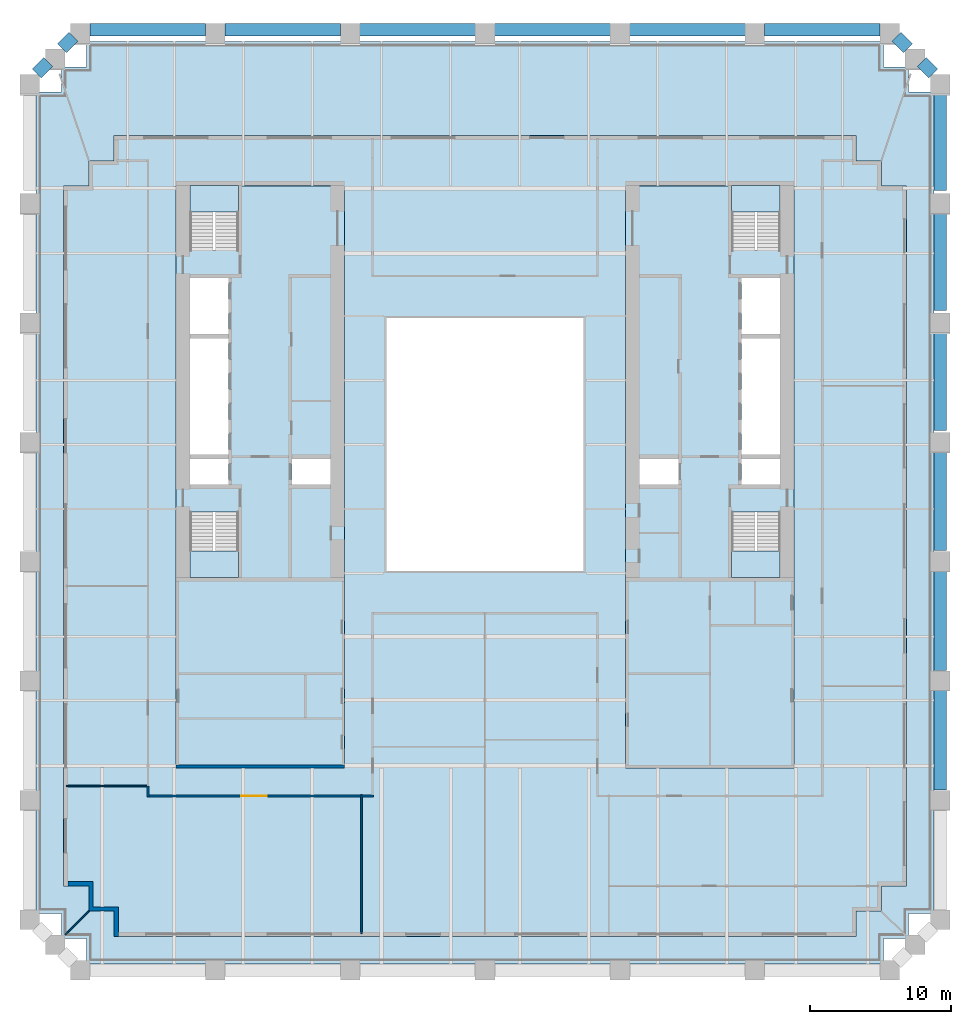
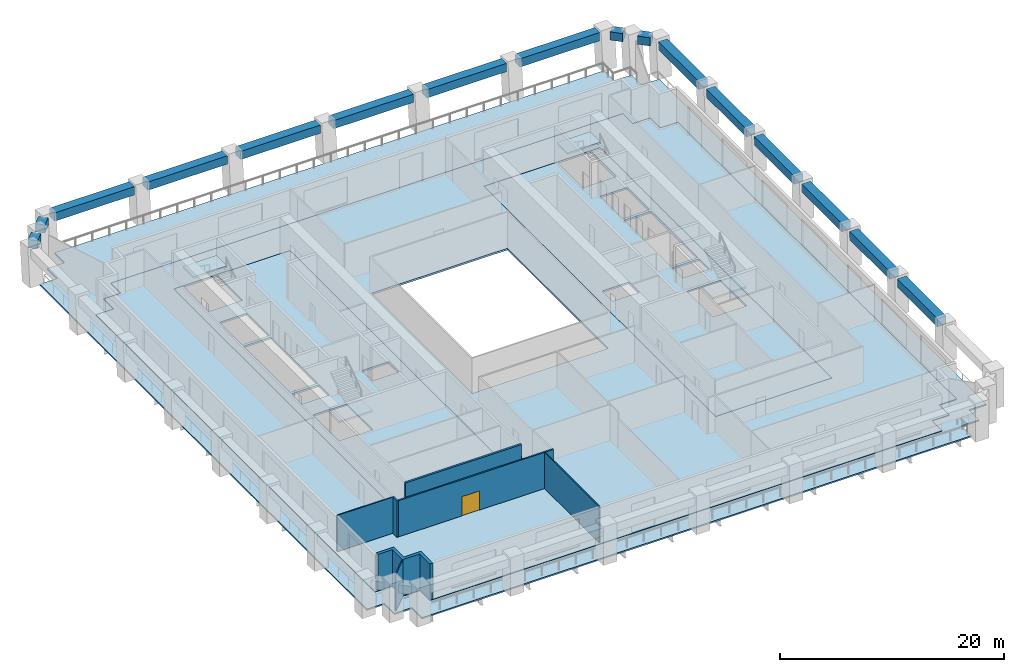
# One storey, part 2 of 9: 16 beams, 8 slabs, 8 walls, 1 door, 1 opening, 4 elements without a shape of their own.
"""IFC4 building model written with IfcOpenShell, lengths in metres."""

from ifc_helpers import new_model, si_unit, direction, frame, frame_2d, origin, origin_2d, place, context, subcontext, project, spatial, polyline, rectangle, outline, extrude, material, layer, layer_set, material_profile, profile_set, type_object, element, fill, aggregate, save


model = new_model("IFC4")

# Units and contexts
model_context = context("Model", 3, precision=1e-05, world=origin(), true_north=direction((0.0, 1.0)))
body_context = subcontext(model_context, "Body", "Model", "MODEL_VIEW")
ifc_project = project(units=[si_unit("LENGTHUNIT", "METRE"), si_unit("AREAUNIT", "SQUARE_METRE"), si_unit("VOLUMEUNIT", "CUBIC_METRE"), si_unit("PLANEANGLEUNIT", "RADIAN"), si_unit("MASSUNIT", "GRAM", prefix="KILO")], contexts=[model_context])

# Site, building, storey
site_placement = place(None, origin())
site = spatial("IfcSite", under=ifc_project, at=site_placement, CompositionType="ELEMENT")
building_placement = place(site_placement, origin())
building = spatial("IfcBuilding", under=site, at=building_placement, Name="Ogive Exchange Tower", CompositionType="ELEMENT")
storey_placement = place(building_placement, frame((0.0, 0.0, 85.800048828125)))
storey = spatial("IfcBuildingStorey", under=building, at=storey_placement, Name="L18", CompositionType="ELEMENT", Elevation=85.800048828125)

# Beams
ifc_material_1 = material(Name="Precast concrete C70/85 (limestone faced)", Category="masonry")
ifc_material_profile = material_profile(ifc_material_1, rectangle(XDim=0.89990234375, YDim=0.89990234375, at=origin_2d()), Name="900 x 900")
ifc_profile_set = profile_set([ifc_material_profile], Name="Precast concrete C70/85 (limestone faced)")
beam_type = type_object("IfcBeamType", Name="Precast spandrel 900 x 900 C70/85", PredefinedType="SPANDREL", material=ifc_profile_set)
beam_1_placement = place(storey_placement, frame((32.39990234375, -17.58740234375, 3.5), z_axis=(0.0, 1.0, 0.0), x_axis=(-1.0, 0.0, 0.0)))
element("IfcBeam", 1, at=beam_1_placement, inside=storey, type_object=beam_type, Name="Spandrel 10", PredefinedType="SPANDREL", context=body_context, shape_type="SweptSolid", body=[
    extrude(rectangle(XDim=0.89990234375, YDim=0.89990234375, at=origin_2d()), origin(), (0.0, 0.0, 1.0), 7.17236328125),
])
for number, where, z_axis, x_axis, name in (
    (2, (32.39990234375, -9.05517578125, 3.5), (0.0, 1.0, 0.0), (-1.0, 0.0, 0.0), "Spandrel 11"),
    (3, (32.39990234375, -0.522705078125, 3.5), (0.0, 1.0, 0.0), (-1.0, 0.0, 0.0), "Spandrel 12"),
):
    element("IfcBeam", number, at=place(storey_placement, frame(where, z_axis=z_axis, x_axis=x_axis)), inside=storey, type_object=beam_type, Name=name, PredefinedType="SPANDREL", context=body_context, shape_type="SweptSolid", body=[
        extrude(rectangle(XDim=0.89990234375, YDim=0.89990234375, at=origin_2d()), origin(), (0.0, 0.0, 1.0), 7.172607421875),
    ])
beam_2_placement = place(storey_placement, frame((32.39990234375, 8.010009765625, 3.5), z_axis=(0.0, 1.0, 0.0), x_axis=(-1.0, 0.0, 0.0)))
element("IfcBeam", 4, at=beam_2_placement, inside=storey, type_object=beam_type, Name="Spandrel 13", PredefinedType="SPANDREL", context=body_context, shape_type="SweptSolid", body=[
    extrude(rectangle(XDim=0.89990234375, YDim=0.89990234375, at=origin_2d()), origin(), (0.0, 0.0, 1.0), 7.17236328125),
])
for number, where, z_axis, x_axis, name in (
    (5, (32.39990234375, 16.542236328125, 3.5), (0.0, 1.0, 0.0), (-1.0, 0.0, 0.0), "Spandrel 14"),
    (6, (32.39990234375, 25.07470703125, 3.5), (0.0, 1.0, 0.0), (-1.0, 0.0, 0.0), "Spandrel 15"),
):
    element("IfcBeam", number, at=place(storey_placement, frame(where, z_axis=z_axis, x_axis=x_axis)), inside=storey, type_object=beam_type, Name=name, PredefinedType="SPANDREL", context=body_context, shape_type="SweptSolid", body=[
        extrude(rectangle(XDim=0.89990234375, YDim=0.89990234375, at=origin_2d()), origin(), (0.0, 0.0, 1.0), 7.172607421875),
    ])
beam_3_placement = place(storey_placement, frame((31.912109375, 33.4150390625, 3.5), z_axis=(-0.707002063412, 0.707211483455, 0.0), x_axis=(-0.707211483455, -0.707002063412, 0.0)))
element("IfcBeam", 7, at=beam_3_placement, inside=storey, type_object=beam_type, Name="Spandrel 16", PredefinedType="SPANDREL", context=body_context, shape_type="SweptSolid", body=[
    extrude(rectangle(XDim=0.89990234375, YDim=0.89990234375, at=origin_2d()), origin(), (0.0, 0.0, 1.0), 1.165771484375),
])
beam_4_placement = place(storey_placement, frame((30.112060546875, 35.215087890625, 3.5), z_axis=(-0.707106781187, 0.707106781187, 0.0), x_axis=(-0.707106781187, -0.707106781187, 0.0)))
element("IfcBeam", 8, at=beam_4_placement, inside=storey, type_object=beam_type, Name="Spandrel 17", PredefinedType="SPANDREL", context=body_context, shape_type="SweptSolid", body=[
    extrude(rectangle(XDim=0.89990234375, YDim=0.89990234375, at=origin_2d()), origin(), (0.0, 0.0, 1.0), 1.16552734375),
])
beam_5_placement = place(storey_placement, frame((28.1201171875, 36.52734375, 3.5), z_axis=(-1.0, 0.0, 0.0), x_axis=(0.0, -1.0, 0.0)))
element("IfcBeam", 9, at=beam_5_placement, inside=storey, type_object=beam_type, Name="Spandrel 18", PredefinedType="SPANDREL", context=body_context, shape_type="SweptSolid", body=[
    extrude(rectangle(XDim=0.89990234375, YDim=0.89990234375, at=origin_2d()), origin(), (0.0, 0.0, 1.0), 8.240234375),
])
for number, where, z_axis, x_axis, name in (
    (10, (18.52001953125, 36.52734375, 3.5), (-1.0, 0.0, 0.0), (0.0, -1.0, 0.0), "Spandrel 19"),
    (11, (8.919921875, 36.52734375, 3.5), (-1.0, 0.0, 0.0), (0.0, -1.0, 0.0), "Spandrel 20"),
    (12, (-0.679931640625, 36.52734375, 3.5), (-1.0, 0.0, 0.0), (0.0, -1.0, 0.0), "Spandrel 21"),
    (13, (-10.280029296875, 36.52734375, 3.5), (-1.0, 0.0, 0.0), (0.0, -1.0, 0.0), "Spandrel 22"),
):
    element("IfcBeam", number, at=place(storey_placement, frame(where, z_axis=z_axis, x_axis=x_axis)), inside=storey, type_object=beam_type, Name=name, PredefinedType="SPANDREL", context=body_context, shape_type="SweptSolid", body=[
        extrude(rectangle(XDim=0.89990234375, YDim=0.89990234375, at=origin_2d()), origin(), (0.0, 0.0, 1.0), 8.239990234375),
    ])
beam_6_placement = place(storey_placement, frame((-19.8798828125, 36.52734375, 3.5), z_axis=(-1.0, 0.0, 0.0), x_axis=(0.0, -1.0, 0.0)))
element("IfcBeam", 14, at=beam_6_placement, inside=storey, type_object=beam_type, Name="Spandrel 23", PredefinedType="SPANDREL", context=body_context, shape_type="SweptSolid", body=[
    extrude(rectangle(XDim=0.89990234375, YDim=0.89990234375, at=origin_2d()), origin(), (0.0, 0.0, 1.0), 8.240234375),
])
beam_7_placement = place(storey_placement, frame((-29.287841796875, 36.039306640625, 3.5), z_axis=(-0.707106781187, -0.707106781187, 0.0), x_axis=(0.707106781187, -0.707106781187, 0.0)))
element("IfcBeam", 15, at=beam_7_placement, inside=storey, type_object=beam_type, Name="Spandrel 24", PredefinedType="SPANDREL", context=body_context, shape_type="SweptSolid", body=[
    extrude(rectangle(XDim=0.89990234375, YDim=0.89990234375, at=origin_2d()), origin(), (0.0, 0.0, 1.0), 1.16552734375),
])
beam_8_placement = place(storey_placement, frame((-31.087890625, 34.239501953125, 3.5), z_axis=(-0.707002063412, -0.707211483455, 0.0), x_axis=(0.707211483455, -0.707002063412, 0.0)))
element("IfcBeam", 16, at=beam_8_placement, inside=storey, type_object=beam_type, Name="Spandrel 25", PredefinedType="SPANDREL", context=body_context, shape_type="SweptSolid", body=[
    extrude(rectangle(XDim=0.89990234375, YDim=0.89990234375, at=origin_2d()), origin(), (0.0, 0.0, 1.0), 1.165771484375),
])

# Slabs
ifc_material_2 = material(Name="Concrete C50/60", Category="concrete")
ifc_layer_1 = layer(ifc_material_2, 0.199951171875)
ifc_layer_set_1 = layer_set([ifc_layer_1], Name="Composite floor slab 200")
slab_type_1 = type_object("IfcSlabType", Name="Composite floor slab 200", PredefinedType="FLOOR", material=ifc_layer_set_1)
slab_1_placement = place(storey_placement, frame((0.0, 0.0, -0.199951171875)))
element("IfcSlab", 17, at=slab_1_placement, inside=storey, type_object=slab_type_1, Name="Composite floor slab", PredefinedType="FLOOR", context=body_context, shape_type="SweptSolid", body=[
    extrude(outline(polyline([(-26.39990234375, -26.199951171875), (-28.199951171875, -26.199951171875), (-28.199951171875, -24.39990234375), (-30.0, -24.39990234375), (-30.0, 25.39990234375), (-28.199951171875, 25.39990234375), (-28.199951171875, 27.199951171875), (-26.39990234375, 27.199951171875), (-26.39990234375, 29.0), (26.39990234375, 29.0), (26.39990234375, 27.199951171875), (28.199951171875, 27.199951171875), (28.199951171875, 25.39990234375), (30.0, 25.39990234375), (30.0, -24.39990234375), (28.199951171875, -24.39990234375), (28.199951171875, -26.199951171875), (26.39990234375, -26.199951171875), (26.39990234375, -28.0), (-26.39990234375, -28.0), (-26.39990234375, -26.199951171875)]), holes=[polyline([(-10.0, -16.0), (-10.0, 25.39990234375), (-22.0, 25.39990234375), (-22.0, -16.0), (-10.0, -16.0)]), polyline([(10.0, -16.0), (22.0, -16.0), (22.0, 25.39990234375), (10.0, 25.39990234375), (10.0, -16.0)]), polyline([(-7.0, -2.0), (7.0, -2.0), (7.0, 16.0), (-7.0, 16.0), (-7.0, -2.0)])]), origin(), (0.0, 0.0, 1.0), 0.199951171875),
])
ifc_material_3 = material(Name="Concrete C70/85", Category="concrete")
ifc_layer_2 = layer(ifc_material_3, 0.199951171875)
ifc_layer_set_2 = layer_set([ifc_layer_2], Name="Core floor slab 200")
slab_type_2 = type_object("IfcSlabType", Name="Core floor slab 200", PredefinedType="FLOOR", material=ifc_layer_set_2)
slab_2_placement = place(storey_placement, frame((0.0, 0.0, -0.199951171875)))
element("IfcSlab", 18, at=slab_2_placement, inside=storey, type_object=slab_type_2, Name="Core floor slab", PredefinedType="FLOOR", context=body_context, shape_type="SweptSolid", body=[
    extrude(outline(polyline([(-10.0, 25.39990234375), (-10.0, -16.0), (-22.0, -16.0), (-22.0, 25.39990234375), (-21.0, 25.39990234375), (-21.0, 20.803955078125), (-17.550048828125, 20.803955078125), (-17.550048828125, 25.39990234375), (-10.0, 25.39990234375)]), holes=[polyline([(-17.550048828125, 2.196044921875), (-21.0, 2.196044921875), (-21.0, -2.449951171875), (-17.550048828125, -2.449951171875), (-17.550048828125, 2.196044921875)]), polyline([(-18.25, 5.992919921875), (-21.0, 5.992919921875), (-21.0, 4.14990234375), (-18.25, 4.14990234375), (-18.25, 5.992919921875)]), polyline([(-11.0, 5.992919921875), (-13.75, 5.992919921875), (-13.75, 4.14990234375), (-11.0, 4.14990234375), (-11.0, 5.992919921875)]), polyline([(-21.0, 14.564208984375), (-21.0, 6.29296875), (-18.25, 6.29296875), (-18.25, 14.564208984375), (-21.0, 14.564208984375)]), polyline([(-18.25, 18.85009765625), (-21.0, 18.85009765625), (-21.0, 14.8642578125), (-18.25, 14.8642578125), (-18.25, 18.85009765625)])]), origin(), (0.0, 0.0, 1.0), 0.199951171875),
])
slab_3_placement = place(storey_placement, frame((0.0, 0.0, -0.199951171875)))
element("IfcSlab", 19, at=slab_3_placement, inside=storey, type_object=slab_type_2, Name="Core floor slab", PredefinedType="FLOOR", context=body_context, shape_type="SweptSolid", body=[
    extrude(outline(polyline([(22.0, 25.39990234375), (22.0, -16.0), (10.0, -16.0), (10.0, 25.39990234375), (17.550048828125, 25.39990234375), (17.550048828125, 20.803955078125), (21.0, 20.803955078125), (21.0, 25.39990234375), (22.0, 25.39990234375)]), holes=[polyline([(21.0, 2.196044921875), (17.550048828125, 2.196044921875), (17.550048828125, -2.449951171875), (21.0, -2.449951171875), (21.0, 2.196044921875)]), polyline([(13.75, 5.992919921875), (11.0, 5.992919921875), (11.0, 4.14990234375), (13.75, 4.14990234375), (13.75, 5.992919921875)]), polyline([(21.0, 5.992919921875), (18.25, 5.992919921875), (18.25, 4.14990234375), (21.0, 4.14990234375), (21.0, 5.992919921875)]), polyline([(18.25, 14.564208984375), (18.25, 6.29296875), (21.0, 6.29296875), (21.0, 14.564208984375), (18.25, 14.564208984375)]), polyline([(21.0, 18.85009765625), (18.25, 18.85009765625), (18.25, 14.8642578125), (21.0, 14.8642578125), (21.0, 18.85009765625)])]), origin(), (0.0, 0.0, 1.0), 0.199951171875),
])
ifc_layer_3 = layer(ifc_material_2, 0.14990234375)
ifc_layer_set_3 = layer_set([ifc_layer_3], Name="Loggia deck 150")
slab_type_3 = type_object("IfcSlabType", Name="Loggia deck 150", PredefinedType="FLOOR", material=ifc_layer_set_3)
slab_4_placement = place(storey_placement, frame((0.0, 0.0, -0.199951171875)))
element("IfcSlab", 20, at=slab_4_placement, inside=storey, type_object=slab_type_3, Name="Loggia deck", PredefinedType="FLOOR", context=body_context, shape_type="SweptSolid", body=[
    extrude(outline(polyline([(-28.35009765625, -28.14990234375), (-30.14990234375, -28.14990234375), (-30.14990234375, -26.35009765625), (-31.949951171875, -26.35009765625), (-31.949951171875, 32.095458984375), (-30.14990234375, 32.095458984375), (-30.14990234375, 33.8955078125), (-28.35009765625, 33.8955078125), (-28.35009765625, 35.695556640625), (28.35009765625, 35.695556640625), (28.35009765625, 33.8955078125), (30.14990234375, 33.8955078125), (30.14990234375, 32.095458984375), (31.949951171875, 32.095458984375), (31.949951171875, -26.35009765625), (30.14990234375, -26.35009765625), (30.14990234375, -28.14990234375), (28.35009765625, -28.14990234375), (28.35009765625, -29.949951171875), (-28.35009765625, -29.949951171875), (-28.35009765625, -28.14990234375)]), holes=[polyline([(26.39990234375, -26.199951171875), (28.199951171875, -26.199951171875), (28.199951171875, -24.39990234375), (30.0, -24.39990234375), (30.0, 25.39990234375), (28.199951171875, 25.39990234375), (28.199951171875, 27.199951171875), (26.39990234375, 27.199951171875), (26.39990234375, 29.0), (-26.39990234375, 29.0), (-26.39990234375, 27.199951171875), (-28.199951171875, 27.199951171875), (-28.199951171875, 25.39990234375), (-30.0, 25.39990234375), (-30.0, -24.39990234375), (-28.199951171875, -24.39990234375), (-28.199951171875, -26.199951171875), (-26.39990234375, -26.199951171875), (-26.39990234375, -28.0), (26.39990234375, -28.0), (26.39990234375, -26.199951171875)])]), origin(), (0.0, 0.0, 1.0), 0.14990234375),
])

# Stair, slab
ifc_material_4 = material(Name="Concrete C40/50", Category="concrete")
stair_type = type_object("IfcStairType", Name="Exit stair 1650 wide", PredefinedType="HALF_TURN_STAIR", material=ifc_material_4)
stair_1_placement = place(storey_placement, origin())
stair_1 = element("IfcStair", 21, at=stair_1_placement, inside=storey, type_object=stair_type, Name="L18 exit stair ST1", PredefinedType="HALF_TURN_STAIR")
ifc_layer_4 = layer(ifc_material_4, 0.199951171875)
ifc_layer_set_4 = layer_set([ifc_layer_4], Name="Stair landing 200 slab")
slab_type_4 = type_object("IfcSlabType", Name="Stair landing 200 slab", PredefinedType="LANDING", material=ifc_layer_set_4)
slab_5_placement = place(storey_placement, frame((0.0, 0.0, 1.89990234375)))
slab_5 = element("IfcSlab", 22, at=slab_5_placement, type_object=slab_type_4, Name="ST1 landing 1", PredefinedType="LANDING", context=body_context, shape_type="SweptSolid", body=[
    extrude(outline(polyline([(-21.0, -0.550048828125), (-21.0, -2.449951171875), (-17.550048828125, -2.449951171875), (-17.550048828125, -0.550048828125), (-21.0, -0.550048828125)])), origin(), (0.0, 0.0, 1.0), 0.199951171875),
])
aggregate(stair_1, [slab_5])

stair_2_placement = place(storey_placement, origin())
stair_2 = element("IfcStair", 23, at=stair_2_placement, inside=storey, type_object=stair_type, Name="L18 exit stair ST2", PredefinedType="HALF_TURN_STAIR")
slab_6_placement = place(storey_placement, frame((0.0, 0.0, 1.89990234375)))
slab_6 = element("IfcSlab", 24, at=slab_6_placement, type_object=slab_type_4, Name="ST2 landing 1", PredefinedType="LANDING", context=body_context, shape_type="SweptSolid", body=[
    extrude(outline(polyline([(-17.550048828125, 23.550048828125), (-17.550048828125, 25.449951171875), (-21.0, 25.449951171875), (-21.0, 23.550048828125), (-17.550048828125, 23.550048828125)])), origin(), (0.0, 0.0, 1.0), 0.199951171875),
])
aggregate(stair_2, [slab_6])

stair_3_placement = place(storey_placement, origin())
stair_3 = element("IfcStair", 25, at=stair_3_placement, inside=storey, type_object=stair_type, Name="L18 exit stair ST3", PredefinedType="HALF_TURN_STAIR")
slab_7_placement = place(storey_placement, frame((0.0, 0.0, 1.89990234375)))
slab_7 = element("IfcSlab", 26, at=slab_7_placement, type_object=slab_type_4, Name="ST3 landing 1", PredefinedType="LANDING", context=body_context, shape_type="SweptSolid", body=[
    extrude(outline(polyline([(17.550048828125, -0.550048828125), (17.550048828125, -2.449951171875), (21.0, -2.449951171875), (21.0, -0.550048828125), (17.550048828125, -0.550048828125)])), origin(), (0.0, 0.0, 1.0), 0.199951171875),
])
aggregate(stair_3, [slab_7])

stair_4_placement = place(storey_placement, origin())
stair_4 = element("IfcStair", 27, at=stair_4_placement, inside=storey, type_object=stair_type, Name="L18 exit stair ST4", PredefinedType="HALF_TURN_STAIR")
slab_8_placement = place(storey_placement, frame((0.0, 0.0, 1.89990234375)))
slab_8 = element("IfcSlab", 28, at=slab_8_placement, type_object=slab_type_4, Name="ST4 landing 1", PredefinedType="LANDING", context=body_context, shape_type="SweptSolid", body=[
    extrude(outline(polyline([(21.0, 23.550048828125), (21.0, 25.449951171875), (17.550048828125, 25.449951171875), (17.550048828125, 23.550048828125), (21.0, 23.550048828125)])), origin(), (0.0, 0.0, 1.0), 0.199951171875),
])
aggregate(stair_4, [slab_8])

# Wall
ifc_material_5 = material(Name="Fire partition EI 60 150")
ifc_layer_5 = layer(ifc_material_5, 0.14990234375)
ifc_layer_set_5 = layer_set([ifc_layer_5], Name="Fire partition EI 60 150")
wall_type_1 = type_object("IfcWallType", Name="Fire partition EI 60 150", PredefinedType="PARTITIONING", material=ifc_layer_set_5)
wall_1_placement = place(storey_placement, frame((-24.0, -18.074951171875, 0.0), z_axis=(0.0, 0.0, 1.0), x_axis=(0.0, 1.0, 0.0)))
element("IfcWall", 29, at=wall_1_placement, inside=storey, type_object=wall_type_1, Name="L18-PWL-001", PredefinedType="PARTITIONING", context=body_context, shape_type="SweptSolid", body=[
    extrude(rectangle(XDim=0.784912109375, YDim=0.14990234375, at=frame_2d((0.392578125, 0.0))), origin(), (0.0, 0.0, 1.0), 3.949951171875),
])

# Wall, opening, door
wall_2_placement = place(storey_placement, frame((-8.85009765625, -18.0, 0.0), z_axis=(0.0, 0.0, 1.0), x_axis=(-1.0, 0.0, 0.0)))
wall_2 = element("IfcWall", 30, at=wall_2_placement, inside=storey, type_object=wall_type_1, Name="L18-PWL-008", PredefinedType="PARTITIONING", context=body_context, shape_type="SweptSolid", body=[
    extrude(rectangle(XDim=15.074951171875, YDim=0.14990234375, at=frame_2d((7.53759765625, 0.0))), origin(), (0.0, 0.0, 1.0), 3.949951171875),
])
opening_placement = place(wall_2_placement, frame((6.699951171875, 0.0, 0.0)))
opening = element("IfcOpeningElement", 31, at=opening_placement, cuts=wall_2, Name="Opening L18-I12", PredefinedType="OPENING", context=body_context, shape_type="SweptSolid", body=[
    extrude(rectangle(XDim=1.800048828125, YDim=2.10009765625, at=frame_2d((0.89990234375, 1.050048828125))), frame((0.0, 0.0849609375, 0.0), z_axis=(0.0, -1.0, 0.0), x_axis=(1.0, 0.0, 0.0)), (0.0, 0.0, 1.0), 0.169921875),
])
ifc_material_6 = material(Name="Fire door FD 30S 1800 x 2100")
door_type = type_object("IfcDoorType", Name="Fire door FD 30S 1800 x 2100", OperationType="DOUBLE_DOOR_SINGLE_SWING", PredefinedType="DOOR", material=ifc_material_6)
door_placement = place(opening_placement, origin())
door = element("IfcDoor", 32, at=door_placement, inside=storey, type_object=door_type, Name="L18-IDR-012", ObjectType="DT4", OperationType="SINGLE_SWING_RIGHT", OverallHeight=2.10009765625, OverallWidth=1.800048828125, PredefinedType="DOOR", context=body_context, shape_type="SweptSolid", body=[
    extrude(rectangle(XDim=1.800048828125, YDim=2.10009765625, at=frame_2d((0.89990234375, 1.050048828125))), frame((0.0, 0.02490234375, 0.0), z_axis=(0.0, -1.0, 0.0), x_axis=(1.0, 0.0, 0.0)), (0.0, 0.0, 1.0), 0.050048828125),
])
fill(opening, door)

# Walls
wall_3_placement = place(storey_placement, frame((-7.925048828125, -18.0, 0.0), z_axis=(0.0, 0.0, 1.0), x_axis=(-1.0, 0.0, 0.0)))
element("IfcWall", 33, at=wall_3_placement, inside=storey, type_object=wall_type_1, Name="L18-PWL-010", PredefinedType="PARTITIONING", context=body_context, shape_type="SweptSolid", body=[
    extrude(rectangle(XDim=0.824951171875, YDim=0.14990234375, at=frame_2d((0.41259765625, 0.0))), origin(), (0.0, 0.0, 1.0), 3.949951171875),
])
ifc_material_7 = material(Name="Precast concrete C40/50", Category="concrete")
ifc_layer_6 = layer(ifc_material_7, 0.300048828125)
ifc_layer_set_6 = layer_set([ifc_layer_6], Name="Limestone-faced wall 300")
wall_type_2 = type_object("IfcWallType", Name="Limestone-faced wall 300", PredefinedType="STANDARD", material=ifc_layer_set_6)
wall_4_placement = place(storey_placement, origin())
element("IfcWall", 34, at=wall_4_placement, inside=storey, type_object=wall_type_2, Name="External corner wall C4", PredefinedType="STANDARD", context=body_context, shape_type="SweptSolid", body=[
    extrude(outline(polyline([(-26.39990234375, -26.199951171875), (-28.199951171875, -26.199951171875), (-28.199951171875, -24.39990234375), (-29.699951171875, -24.39990234375), (-29.699951171875, -24.10009765625), (-27.89990234375, -24.10009765625), (-27.89990234375, -25.89990234375), (-26.10009765625, -25.89990234375), (-26.10009765625, -28.0), (-26.39990234375, -28.0), (-26.39990234375, -26.199951171875)])), origin(), (0.0, 0.0, 1.0), 3.949951171875),
])
ifc_material_8 = material(Name="Laminated safety glass in steel frame", Category="steel")
ifc_layer_7 = layer(ifc_material_8, 0.10009765625)
ifc_layer_set_7 = layer_set([ifc_layer_7], Name="Loggia end screen 100")
wall_type_3 = type_object("IfcWallType", Name="Loggia end screen 100", PredefinedType="STANDARD", material=ifc_layer_set_7)
wall_5_placement = place(storey_placement, frame((-28.199951171875, -26.199951171875, -0.050048828125), z_axis=(0.0, 0.0, 1.0), x_axis=(-0.707106781187, -0.707106781187, 0.0)))
element("IfcWall", 35, at=wall_5_placement, inside=storey, type_object=wall_type_3, Name="Loggia end screen C4", PredefinedType="STANDARD", context=body_context, shape_type="SweptSolid", body=[
    extrude(rectangle(XDim=2.384521484375, YDim=0.10009765625, at=frame_2d((1.1923828125, 0.0))), origin(), (0.0, 0.0, 1.0), 4.0),
])
ifc_material_9 = material(Name="Partition 100 gypsum")
ifc_layer_8 = layer(ifc_material_9, 0.10009765625)
ifc_layer_set_8 = layer_set([ifc_layer_8], Name="Partition 100 gypsum")
wall_type_4 = type_object("IfcWallType", Name="Partition 100 gypsum", PredefinedType="PARTITIONING", material=ifc_layer_set_8)
wall_6_placement = place(storey_placement, frame((-24.074951171875, -17.2900390625, 0.0), z_axis=(0.0, 0.0, 1.0), x_axis=(-1.0, 0.0, 0.0)))
element("IfcWall", 36, at=wall_6_placement, inside=storey, type_object=wall_type_4, Name="L18-PWL-002", PredefinedType="PARTITIONING", context=body_context, shape_type="SweptSolid", body=[
    extrude(rectangle(XDim=5.72509765625, YDim=0.10009765625, at=frame_2d((2.862548828125, 0.0))), origin(), (0.0, 0.0, 1.0), 3.949951171875),
])
wall_7_placement = place(storey_placement, frame((-8.800048828125, -27.800048828125, 0.0), z_axis=(0.0, 0.0, 1.0), x_axis=(0.0, 1.0, 0.0)))
element("IfcWall", 37, at=wall_7_placement, inside=storey, type_object=wall_type_4, Name="L18-PWL-007", PredefinedType="PARTITIONING", context=body_context, shape_type="SweptSolid", body=[
    extrude(rectangle(XDim=9.875, YDim=0.10009765625, at=frame_2d((4.9375, 0.0))), origin(), (0.0, 0.0, 1.0), 3.949951171875),
])
ifc_layer_9 = layer(ifc_material_3, 0.199951171875)
ifc_layer_set_9 = layer_set([ifc_layer_9], Name="RC core wall 200 C70/85")
wall_type_5 = type_object("IfcWallType", Name="RC core wall 200 C70/85", PredefinedType="SHEAR", material=ifc_layer_set_9)
wall_8_placement = place(storey_placement, frame((-22.0, -15.89990234375, 0.0), z_axis=(0.0, 0.0, 1.0), x_axis=(1.0, 0.0, 0.0)))
element("IfcWall", 38, at=wall_8_placement, inside=storey, type_object=wall_type_5, Name="W annex S end wall", PredefinedType="SHEAR", context=body_context, shape_type="SweptSolid", body=[
    extrude(rectangle(XDim=12.0, YDim=0.199951171875, at=frame_2d((6.0, 0.0))), origin(), (0.0, 0.0, 1.0), 3.949951171875),
])

save(model, "model.ifc")
